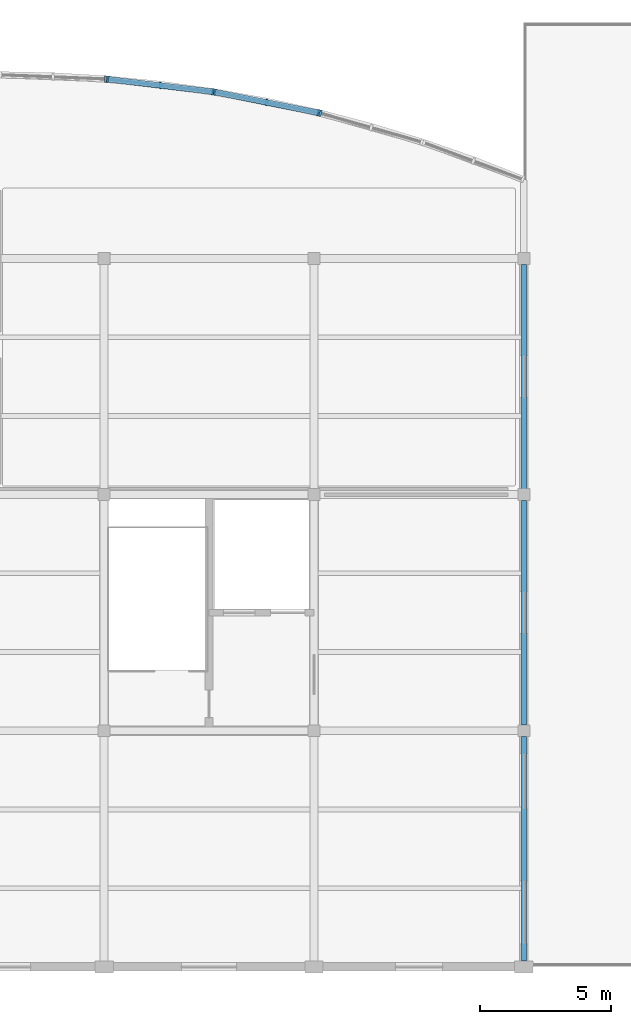
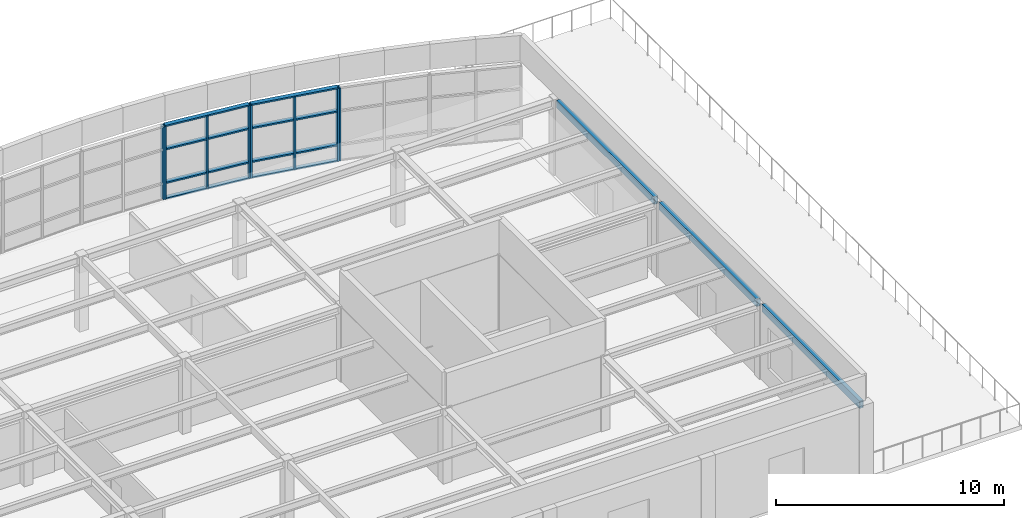
# One storey, part 4 of 9: 16 members, 3 beams, 4 elements without a shape of their own.
"""IFC4 building model written with IfcOpenShell, lengths in metres."""

from ifc_helpers import new_model, si_unit, direction, frame, origin, origin_2d, place, context, subcontext, project, spatial, rectangle, hollow_rectangle, extrude, material, layer, layer_set, material_profile, profile_set, type_object, element, aggregate, save


model = new_model("IFC4")

# Units and contexts
model_context = context("Model", 3, precision=1e-05, world=origin(), true_north=direction((0.0, 1.0)))
body_context = subcontext(model_context, "Body", "Model", "MODEL_VIEW")
ifc_project = project(units=[si_unit("LENGTHUNIT", "METRE"), si_unit("AREAUNIT", "SQUARE_METRE"), si_unit("VOLUMEUNIT", "CUBIC_METRE"), si_unit("PLANEANGLEUNIT", "RADIAN"), si_unit("MASSUNIT", "GRAM", prefix="KILO")], contexts=[model_context])

# Site, building, storey
site_placement = place(None, origin())
site = spatial("IfcSite", under=ifc_project, at=site_placement, CompositionType="ELEMENT")
building_placement = place(site_placement, origin())
building = spatial("IfcBuilding", under=site, at=building_placement, Name="Keelwater Ferry Terminal", CompositionType="ELEMENT")
storey_placement = place(building_placement, frame((0.0, 0.0, 23.699951171875)))
storey = spatial("IfcBuildingStorey", under=building, at=storey_placement, Name="L05", CompositionType="ELEMENT", Elevation=23.699951171875)

# Curtain wall, member
ifc_material_1 = material(Name="Thermally broken unitised aluminium and triple glass", Category="aluminium")
ifc_layer = layer(ifc_material_1, 0.179931640625)
ifc_layer_set = layer_set([ifc_layer], Name="Thermally broken unitised aluminium and triple glass")
curtain_wall_type = type_object("IfcCurtainWallType", Name="CW-24 Unitised Curtain Wall 4015x3900", PredefinedType="USERDEFINED", material=ifc_layer_set)
curtain_wall_1_placement = place(storey_placement, origin())
curtain_wall_1 = element("IfcCurtainWall", 1, at=curtain_wall_1_placement, inside=storey, type_object=curtain_wall_type, Name="Unitised Curtain Wall CW-L05-224", ObjectType="UNITISED CURTAIN WALL", PredefinedType="USERDEFINED")
ifc_material_2 = material(Name="Aluminium mullion", Category="aluminium")
ifc_material_profile_1 = material_profile(ifc_material_2, rectangle(XDim=0.080078125, YDim=0.25, at=origin_2d()), Name="CWM-04")
ifc_profile_set_1 = profile_set([ifc_material_profile_1], Name="Aluminium mullion")
member_type_1 = type_object("IfcMemberType", Name="CWM-04 Curtain Mullion 80x250", PredefinedType="MULLION", material=ifc_profile_set_1)
member_1_placement = place(storey_placement, frame((164.24609375, 122.535888671875, 0.0), z_axis=(0.0, 0.0, 1.0), x_axis=(-0.962029778706, 0.272944508797, 0.0)))
member_1 = element("IfcMember", 2, at=member_1_placement, type_object=member_type_1, Name="CW-L05-224 Mullion 3", PredefinedType="MULLION", context=body_context, shape_type="SweptSolid", body=[
    extrude(rectangle(XDim=0.080078125, YDim=0.25, at=origin_2d()), origin(), (0.0, 0.0, 1.0), 3.900146484375),
])
aggregate(curtain_wall_1, [member_1])

# Curtain wall, members
curtain_wall_2_placement = place(storey_placement, origin())
curtain_wall_2 = element("IfcCurtainWall", 3, at=curtain_wall_2_placement, inside=storey, type_object=curtain_wall_type, Name="Unitised Curtain Wall CW-L05-225", ObjectType="UNITISED CURTAIN WALL", PredefinedType="USERDEFINED")
member_2_placement = place(storey_placement, frame((164.158935546875, 122.556884765625, 0.0), z_axis=(0.0, 0.0, 1.0), x_axis=(-0.98059983046, 0.196020336958, 0.0)))
member_2 = element("IfcMember", 4, at=member_2_placement, type_object=member_type_1, Name="CW-L05-225 Mullion 1", PredefinedType="MULLION", context=body_context, shape_type="SweptSolid", body=[
    extrude(rectangle(XDim=0.080078125, YDim=0.25, at=origin_2d()), origin(), (0.0, 0.0, 1.0), 3.900146484375),
])
member_3_placement = place(storey_placement, frame((162.1904296875, 122.950439453125, 0.0), z_axis=(0.0, 0.0, 1.0), x_axis=(-0.98059983046, 0.196020336958, 0.0)))
member_3 = element("IfcMember", 5, at=member_3_placement, type_object=member_type_1, Name="CW-L05-225 Mullion 2", PredefinedType="MULLION", context=body_context, shape_type="SweptSolid", body=[
    extrude(rectangle(XDim=0.080078125, YDim=0.25, at=origin_2d()), origin(), (0.0, 0.0, 1.0), 3.900146484375),
])
member_4_placement = place(storey_placement, frame((160.221923828125, 123.343994140625, 0.0), z_axis=(0.0, 0.0, 1.0), x_axis=(-0.98059983046, 0.196020336958, 0.0)))
member_4 = element("IfcMember", 6, at=member_4_placement, type_object=member_type_1, Name="CW-L05-225 Mullion 3", PredefinedType="MULLION", context=body_context, shape_type="SweptSolid", body=[
    extrude(rectangle(XDim=0.080078125, YDim=0.25, at=origin_2d()), origin(), (0.0, 0.0, 1.0), 3.900146484375),
])

curtain_wall_3_placement = place(storey_placement, origin())
curtain_wall_3 = element("IfcCurtainWall", 7, at=curtain_wall_3_placement, inside=storey, type_object=curtain_wall_type, Name="Unitised Curtain Wall CW-L05-226", ObjectType="UNITISED CURTAIN WALL", PredefinedType="USERDEFINED")
member_5_placement = place(storey_placement, frame((160.133056640625, 123.35791015625, 0.0), z_axis=(0.0, 0.0, 1.0), x_axis=(-0.992974342459, 0.118329857676, 0.0)))
member_5 = element("IfcMember", 8, at=member_5_placement, type_object=member_type_1, Name="CW-L05-226 Mullion 1", PredefinedType="MULLION", context=body_context, shape_type="SweptSolid", body=[
    extrude(rectangle(XDim=0.080078125, YDim=0.25, at=origin_2d()), origin(), (0.0, 0.0, 1.0), 3.900146484375),
])
member_6_placement = place(storey_placement, frame((158.139892578125, 123.595458984375, 0.0), z_axis=(0.0, 0.0, 1.0), x_axis=(-0.992974342459, 0.118329857676, 0.0)))
member_6 = element("IfcMember", 9, at=member_6_placement, type_object=member_type_1, Name="CW-L05-226 Mullion 2", PredefinedType="MULLION", context=body_context, shape_type="SweptSolid", body=[
    extrude(rectangle(XDim=0.080078125, YDim=0.25, at=origin_2d()), origin(), (0.0, 0.0, 1.0), 3.900146484375),
])
member_7_placement = place(storey_placement, frame((156.14697265625, 123.8330078125, 0.0), z_axis=(0.0, 0.0, 1.0), x_axis=(-0.992974342459, 0.118329857676, 0.0)))
member_7 = element("IfcMember", 10, at=member_7_placement, type_object=member_type_1, Name="CW-L05-226 Mullion 3", PredefinedType="MULLION", context=body_context, shape_type="SweptSolid", body=[
    extrude(rectangle(XDim=0.080078125, YDim=0.25, at=origin_2d()), origin(), (0.0, 0.0, 1.0), 3.900146484375),
])

# Curtain wall, member
curtain_wall_4_placement = place(storey_placement, origin())
curtain_wall_4 = element("IfcCurtainWall", 11, at=curtain_wall_4_placement, inside=storey, type_object=curtain_wall_type, Name="Unitised Curtain Wall CW-L05-227", ObjectType="UNITISED CURTAIN WALL", PredefinedType="USERDEFINED")
member_8_placement = place(storey_placement, frame((156.056884765625, 123.840087890625, 0.0), z_axis=(0.0, 0.0, 1.0), x_axis=(-0.999225435626, 0.039351350652, 0.0)))
member_8 = element("IfcMember", 12, at=member_8_placement, type_object=member_type_1, Name="CW-L05-227 Mullion 1", PredefinedType="MULLION", context=body_context, shape_type="SweptSolid", body=[
    extrude(rectangle(XDim=0.080078125, YDim=0.25, at=origin_2d()), origin(), (0.0, 0.0, 1.0), 3.900146484375),
])
aggregate(curtain_wall_4, [member_8])

# Member
ifc_material_3 = material(Name="Aluminium mullion", Category="aluminium")
ifc_material_profile_2 = material_profile(ifc_material_3, rectangle(XDim=0.219970703125, YDim=0.080078125, at=origin_2d()), Name="CWT-04")
ifc_profile_set_2 = profile_set([ifc_material_profile_2], Name="Aluminium mullion")
member_type_2 = type_object("IfcMemberType", Name="CWT-04 Curtain Transom 80x220", PredefinedType="USERDEFINED", material=ifc_profile_set_2)
member_9_placement = place(storey_placement, frame((164.158935546875, 122.556884765625, 0.0), z_axis=(-0.980594705866, 0.196045971209, 0.0), x_axis=(-0.196045971209, -0.980594705866, 0.0)))
member_9 = element("IfcMember", 13, at=member_9_placement, type_object=member_type_2, Name="CW-L05-225 Transom 1", ObjectType="TRANSOM", PredefinedType="USERDEFINED", context=body_context, shape_type="SweptSolid", body=[
    extrude(rectangle(XDim=0.219970703125, YDim=0.080078125, at=origin_2d()), origin(), (0.0, 0.0, 1.0), 4.014892578125),
])

member_10_placement = place(storey_placement, frame((164.158935546875, 122.556884765625, 0.85009765625), z_axis=(-0.980594705866, 0.196045971209, 0.0), x_axis=(-0.196045971209, -0.980594705866, 0.0)))
member_10 = element("IfcMember", 14, at=member_10_placement, type_object=member_type_2, Name="CW-L05-225 Transom 2", ObjectType="TRANSOM", PredefinedType="USERDEFINED", context=body_context, shape_type="SweptSolid", body=[
    extrude(rectangle(XDim=0.219970703125, YDim=0.080078125, at=origin_2d()), origin(), (0.0, 0.0, 1.0), 4.014892578125),
])

member_11_placement = place(storey_placement, frame((164.158935546875, 122.556884765625, 2.650146484375), z_axis=(-0.980594705866, 0.196045971209, 0.0), x_axis=(-0.196045971209, -0.980594705866, 0.0)))
member_11 = element("IfcMember", 15, at=member_11_placement, type_object=member_type_2, Name="CW-L05-225 Transom 3", ObjectType="TRANSOM", PredefinedType="USERDEFINED", context=body_context, shape_type="SweptSolid", body=[
    extrude(rectangle(XDim=0.219970703125, YDim=0.080078125, at=origin_2d()), origin(), (0.0, 0.0, 1.0), 4.014892578125),
])

member_12_placement = place(storey_placement, frame((164.158935546875, 122.556884765625, 3.900146484375), z_axis=(-0.980594705866, 0.196045971209, 0.0), x_axis=(-0.196045971209, -0.980594705866, 0.0)))
member_12 = element("IfcMember", 16, at=member_12_placement, type_object=member_type_2, Name="CW-L05-225 Transom 4", ObjectType="TRANSOM", PredefinedType="USERDEFINED", context=body_context, shape_type="SweptSolid", body=[
    extrude(rectangle(XDim=0.219970703125, YDim=0.080078125, at=origin_2d()), origin(), (0.0, 0.0, 1.0), 4.014892578125),
])

aggregate(curtain_wall_2, [member_2, member_3, member_4, member_9, member_10, member_11, member_12])

member_13_placement = place(storey_placement, frame((160.133056640625, 123.35791015625, 0.0), z_axis=(-0.992971776767, 0.1183513859, 0.0), x_axis=(-0.1183513859, -0.992971776767, 0.0)))
member_13 = element("IfcMember", 17, at=member_13_placement, type_object=member_type_2, Name="CW-L05-226 Transom 1", ObjectType="TRANSOM", PredefinedType="USERDEFINED", context=body_context, shape_type="SweptSolid", body=[
    extrude(rectangle(XDim=0.219970703125, YDim=0.080078125, at=origin_2d()), origin(), (0.0, 0.0, 1.0), 4.014404296875),
])

member_14_placement = place(storey_placement, frame((160.133056640625, 123.35791015625, 0.85009765625), z_axis=(-0.992971776767, 0.1183513859, 0.0), x_axis=(-0.1183513859, -0.992971776767, 0.0)))
member_14 = element("IfcMember", 18, at=member_14_placement, type_object=member_type_2, Name="CW-L05-226 Transom 2", ObjectType="TRANSOM", PredefinedType="USERDEFINED", context=body_context, shape_type="SweptSolid", body=[
    extrude(rectangle(XDim=0.219970703125, YDim=0.080078125, at=origin_2d()), origin(), (0.0, 0.0, 1.0), 4.014404296875),
])

member_15_placement = place(storey_placement, frame((160.133056640625, 123.35791015625, 2.650146484375), z_axis=(-0.992971776767, 0.1183513859, 0.0), x_axis=(-0.1183513859, -0.992971776767, 0.0)))
member_15 = element("IfcMember", 19, at=member_15_placement, type_object=member_type_2, Name="CW-L05-226 Transom 3", ObjectType="TRANSOM", PredefinedType="USERDEFINED", context=body_context, shape_type="SweptSolid", body=[
    extrude(rectangle(XDim=0.219970703125, YDim=0.080078125, at=origin_2d()), origin(), (0.0, 0.0, 1.0), 4.014404296875),
])

member_16_placement = place(storey_placement, frame((160.133056640625, 123.35791015625, 3.900146484375), z_axis=(-0.992971776767, 0.1183513859, 0.0), x_axis=(-0.1183513859, -0.992971776767, 0.0)))
member_16 = element("IfcMember", 20, at=member_16_placement, type_object=member_type_2, Name="CW-L05-226 Transom 4", ObjectType="TRANSOM", PredefinedType="USERDEFINED", context=body_context, shape_type="SweptSolid", body=[
    extrude(rectangle(XDim=0.219970703125, YDim=0.080078125, at=origin_2d()), origin(), (0.0, 0.0, 1.0), 4.014404296875),
])

aggregate(curtain_wall_3, [member_5, member_6, member_7, member_13, member_14, member_15, member_16])

# Beams
ifc_material_4 = material(Name="Steel S355", Category="steel")
ifc_material_profile_3 = material_profile(ifc_material_4, hollow_rectangle(XDim=0.199951171875, YDim=0.39990234375, WallThickness=0.01611328125, at=origin_2d()), Name="RHS 400x200x16")
ifc_profile_set_3 = profile_set([ifc_material_profile_3], Name="Steel S355")
beam_type = type_object("IfcBeamType", Name="SP3E RHS 400x200x16", PredefinedType="SPANDREL", material=ifc_profile_set_3)
for number, where, z_axis, x_axis, name in (
    (21, (172.0, 90.219970703125, 3.780029296875), (0.0, 1.0, 0.0), (-1.0, 0.0, 0.0), "Beam BM-L05-1611"),
    (22, (172.0, 99.219970703125, 3.780029296875), (0.0, 1.0, 0.0), (-1.0, 0.0, 0.0), "Beam BM-L05-1612"),
    (23, (172.0, 108.219970703125, 3.780029296875), (0.0, 1.0, 0.0), (-1.0, 0.0, 0.0), "Beam BM-L05-1613"),
):
    element("IfcBeam", number, at=place(storey_placement, frame(where, z_axis=z_axis, x_axis=x_axis)), inside=storey, type_object=beam_type, Name=name, PredefinedType="SPANDREL", context=body_context, shape_type="SweptSolid", body=[
        extrude(hollow_rectangle(XDim=0.199951171875, YDim=0.39990234375, WallThickness=0.01611328125, at=origin_2d()), origin(), (0.0, 0.0, 1.0), 8.56005859375),
    ])

save(model, "model.ifc")
